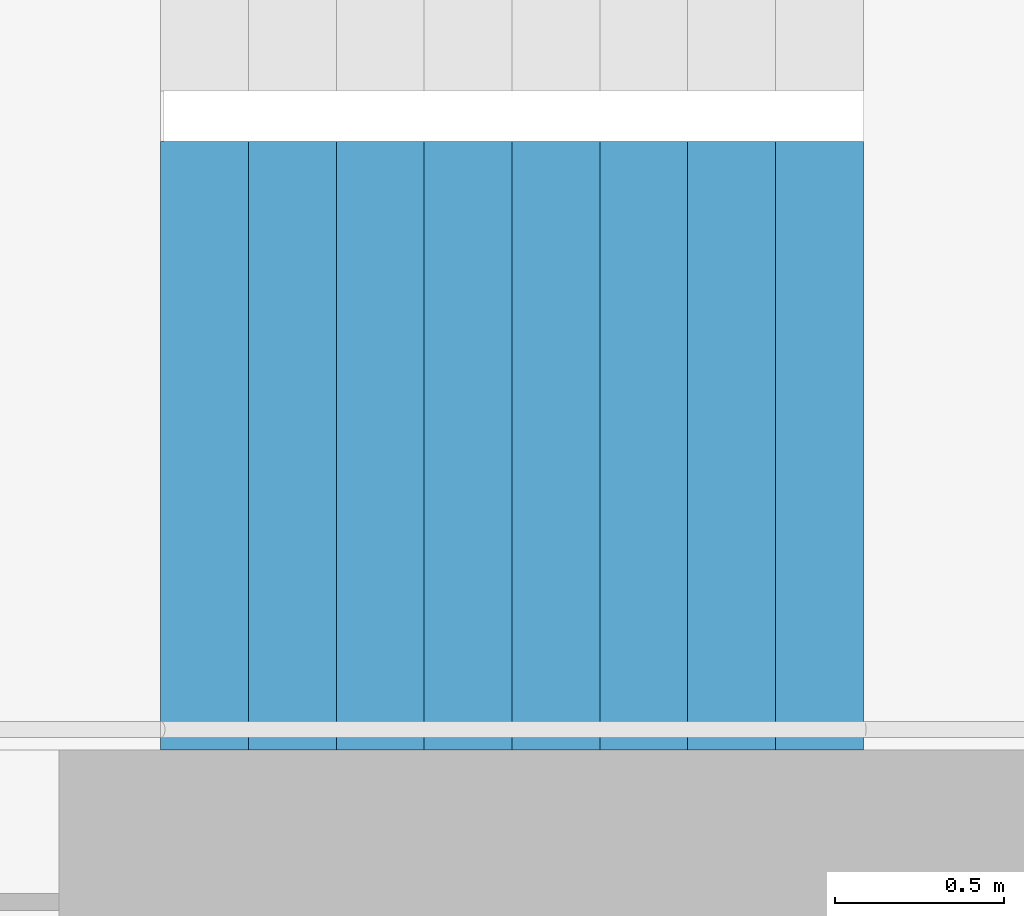
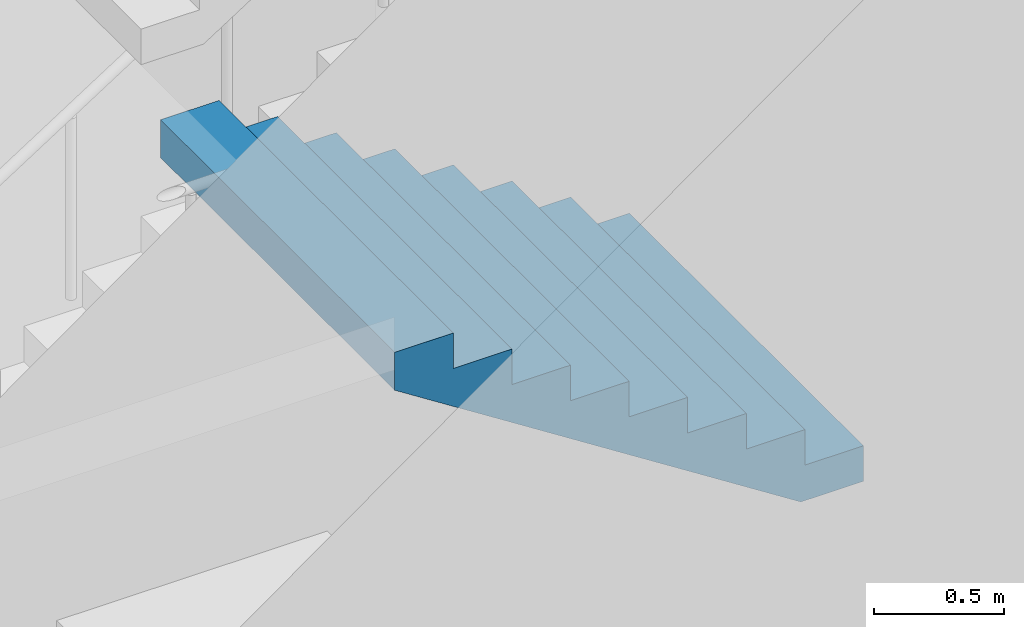
# One storey, part 26 of 35: 1 stair flight, 1 element without a shape of its own.
"""IFC4 building model written with IfcOpenShell, lengths in metres."""

from ifc_helpers import new_model, si_unit, direction, frame, origin, place, context, subcontext, project, spatial, triangles, material, type_object, element, aggregate, save


model = new_model("IFC4")

# Units and contexts
model_context = context("Model", 3, precision=1e-05, world=origin(), true_north=direction((0.0, 1.0)))
body_context = subcontext(model_context, "Body", "Model", "MODEL_VIEW")
ifc_project = project(units=[si_unit("LENGTHUNIT", "METRE"), si_unit("AREAUNIT", "SQUARE_METRE"), si_unit("VOLUMEUNIT", "CUBIC_METRE"), si_unit("PLANEANGLEUNIT", "RADIAN"), si_unit("MASSUNIT", "GRAM", prefix="KILO")], contexts=[model_context])

# Site, building, storey
site_placement = place(None, origin())
site = spatial("IfcSite", under=ifc_project, at=site_placement, CompositionType="ELEMENT")
building_placement = place(site_placement, origin())
building = spatial("IfcBuilding", under=site, at=building_placement, Name="Hakoniwa Tower and Hamabe Station Hall", CompositionType="ELEMENT")
storey_placement = place(building_placement, frame((0.0, 0.0, 270.60009765625)))
storey = spatial("IfcBuildingStorey", under=building, at=storey_placement, Name="L76", CompositionType="ELEMENT", Elevation=270.60009765625)

# Stair, stair flight
ifc_material_1 = material(Name="Concrete C40", Category="concrete")
stair_type = type_object("IfcStairType", Name="ESCAPE STAIR 1800", PredefinedType="HALF_TURN_STAIR", material=ifc_material_1)
stair_placement = place(storey_placement, origin())
stair = element("IfcStair", 1, at=stair_placement, inside=storey, type_object=stair_type, Name="Escape stair ST-4 L76", PredefinedType="HALF_TURN_STAIR")
ifc_material_2 = material(Name="Concrete C40", Category="concrete")
stair_flight_type = type_object("IfcStairFlightType", Name="STAIR FLIGHT 1800", PredefinedType="STRAIGHT", material=ifc_material_2)
stair_flight_placement = place(storey_placement, frame((25.47998046875, -6.60009765625, 1.5), z_axis=(0.0, 0.0, 1.0), x_axis=(-1.0, 0.0, 0.0)))
stair_flight = element("IfcStairFlight", 2, at=stair_flight_placement, type_object=stair_flight_type, Name="ST-4 flight 2", NumberOfRisers=9, NumberOfTreads=8, PredefinedType="STRAIGHT", RiserHeight=0.166666667, TreadLength=0.26, context=body_context, shape_type="Tessellation", body=[
    triangles([(0.0, 0.89990234375, 0.0), (0.260009765625, 0.89990234375, 0.0), (0.27783203125, 0.89990234375, 0.0), (0.52001953125, 0.89990234375, 0.1552734375), (0.780029296875, 0.89990234375, 0.322021484375), (1.0400390625, 0.89990234375, 0.488525390625), (1.300048828125, 0.89990234375, 0.6552734375), (1.56005859375, 0.89990234375, 0.822021484375), (1.820068359375, 0.89990234375, 0.988525390625), (2.080078125, 0.89990234375, 1.1552734375), (2.080078125, 0.89990234375, 1.333251953125), (1.820068359375, 0.89990234375, 1.333251953125), (1.820068359375, 0.89990234375, 1.166748046875), (1.56005859375, 0.89990234375, 1.166748046875), (1.56005859375, 0.89990234375, 1.0), (1.300048828125, 0.89990234375, 1.0), (1.300048828125, 0.89990234375, 0.833251953125), (1.0400390625, 0.89990234375, 0.833251953125), (1.0400390625, 0.89990234375, 0.666748046875), (0.780029296875, 0.89990234375, 0.666748046875), (0.780029296875, 0.89990234375, 0.5), (0.52001953125, 0.89990234375, 0.5), (0.52001953125, 0.89990234375, 0.333251953125), (0.27783203125, 0.89990234375, 0.333251953125), (0.260009765625, 0.89990234375, 0.333251953125), (0.260009765625, 0.89990234375, 0.166748046875), (0.0, 0.89990234375, 0.166748046875), (0.0, 0.06005859375, 0.0), (0.260009765625, 0.06005859375, 0.0), (0.27783203125, 0.06005859375, 0.0), (0.52001953125, 0.06005859375, 0.1552734375), (0.780029296875, 0.06005859375, 0.322021484375), (1.0400390625, 0.06005859375, 0.488525390625), (1.300048828125, 0.06005859375, 0.6552734375), (1.56005859375, 0.06005859375, 0.822021484375), (1.820068359375, 0.06005859375, 0.988525390625), (2.080078125, 0.06005859375, 1.1552734375), (2.080078125, 0.06005859375, 1.333251953125), (1.820068359375, 0.06005859375, 1.333251953125), (1.820068359375, 0.06005859375, 1.166748046875), (1.56005859375, 0.06005859375, 1.166748046875), (1.56005859375, 0.06005859375, 1.0), (1.300048828125, 0.06005859375, 1.0), (1.300048828125, 0.06005859375, 0.833251953125), (1.0400390625, 0.06005859375, 0.833251953125), (1.0400390625, 0.06005859375, 0.666748046875), (0.780029296875, 0.06005859375, 0.666748046875), (0.780029296875, 0.06005859375, 0.5), (0.52001953125, 0.06005859375, 0.5), (0.52001953125, 0.06005859375, 0.333251953125), (0.27783203125, 0.06005859375, 0.333251953125), (0.260009765625, 0.06005859375, 0.333251953125), (0.260009765625, 0.06005859375, 0.166748046875), (0.0, 0.06005859375, 0.166748046875), (0.0, 0.04296875, 0.0), (0.260009765625, 0.04296875, 0.0), (0.27783203125, 0.04296875, 0.0), (0.52001953125, 0.04296875, 0.1552734375), (0.780029296875, 0.04296875, 0.322021484375), (1.0400390625, 0.04296875, 0.488525390625), (1.300048828125, 0.04296875, 0.6552734375), (1.56005859375, 0.04296875, 0.822021484375), (1.820068359375, 0.04296875, 0.988525390625), (2.080078125, 0.04296875, 1.1552734375), (2.080078125, 0.04296875, 1.333251953125), (1.820068359375, 0.04296875, 1.333251953125), (1.820068359375, 0.04296875, 1.166748046875), (1.56005859375, 0.04296875, 1.166748046875), (1.56005859375, 0.04296875, 1.0), (1.300048828125, 0.04296875, 1.0), (1.300048828125, 0.04296875, 0.833251953125), (1.0400390625, 0.04296875, 0.833251953125), (1.0400390625, 0.04296875, 0.666748046875), (0.780029296875, 0.04296875, 0.666748046875), (0.780029296875, 0.04296875, 0.5), (0.52001953125, 0.04296875, 0.5), (0.52001953125, 0.04296875, 0.333251953125), (0.27783203125, 0.04296875, 0.333251953125), (0.260009765625, 0.04296875, 0.333251953125), (0.260009765625, 0.04296875, 0.166748046875), (0.0, 0.04296875, 0.166748046875), (0.0, 0.025634765625, 0.0), (0.260009765625, 0.025634765625, 0.0), (0.27783203125, 0.025634765625, 0.0), (0.52001953125, 0.025634765625, 0.1552734375), (0.780029296875, 0.025634765625, 0.322021484375), (1.0400390625, 0.025634765625, 0.488525390625), (1.300048828125, 0.025634765625, 0.6552734375), (1.56005859375, 0.025634765625, 0.822021484375), (1.820068359375, 0.025634765625, 0.988525390625), (2.080078125, 0.025634765625, 1.1552734375), (2.080078125, 0.025634765625, 1.333251953125), (1.820068359375, 0.025634765625, 1.333251953125), (1.820068359375, 0.025634765625, 1.166748046875), (1.56005859375, 0.025634765625, 1.166748046875), (1.56005859375, 0.025634765625, 1.0), (1.300048828125, 0.025634765625, 1.0), (1.300048828125, 0.025634765625, 0.833251953125), (1.0400390625, 0.025634765625, 0.833251953125), (1.0400390625, 0.025634765625, 0.666748046875), (0.780029296875, 0.025634765625, 0.666748046875), (0.780029296875, 0.025634765625, 0.5), (0.52001953125, 0.025634765625, 0.5), (0.52001953125, 0.025634765625, 0.333251953125), (0.27783203125, 0.025634765625, 0.333251953125), (0.260009765625, 0.025634765625, 0.333251953125), (0.260009765625, 0.025634765625, 0.166748046875), (0.0, 0.025634765625, 0.166748046875), (0.0, 0.008544921875, 0.0), (0.260009765625, 0.008544921875, 0.0), (0.27783203125, 0.008544921875, 0.0), (0.52001953125, 0.008544921875, 0.1552734375), (0.780029296875, 0.008544921875, 0.322021484375), (1.0400390625, 0.008544921875, 0.488525390625), (1.300048828125, 0.008544921875, 0.6552734375), (1.56005859375, 0.008544921875, 0.822021484375), (1.820068359375, 0.008544921875, 0.988525390625), (2.080078125, 0.008544921875, 1.1552734375), (2.080078125, 0.008544921875, 1.333251953125), (1.820068359375, 0.008544921875, 1.333251953125), (1.820068359375, 0.008544921875, 1.166748046875), (1.56005859375, 0.008544921875, 1.166748046875), (1.56005859375, 0.008544921875, 1.0), (1.300048828125, 0.008544921875, 1.0), (1.300048828125, 0.008544921875, 0.833251953125), (1.0400390625, 0.008544921875, 0.833251953125), (1.0400390625, 0.008544921875, 0.666748046875), (0.780029296875, 0.008544921875, 0.666748046875), (0.780029296875, 0.008544921875, 0.5), (0.52001953125, 0.008544921875, 0.5), (0.52001953125, 0.008544921875, 0.333251953125), (0.27783203125, 0.008544921875, 0.333251953125), (0.260009765625, 0.008544921875, 0.333251953125), (0.260009765625, 0.008544921875, 0.166748046875), (0.0, 0.008544921875, 0.166748046875), (0.0, -0.008544921875, 0.0), (0.260009765625, -0.008544921875, 0.0), (0.27783203125, -0.008544921875, 0.0), (0.52001953125, -0.008544921875, 0.1552734375), (0.780029296875, -0.008544921875, 0.322021484375), (1.0400390625, -0.008544921875, 0.488525390625), (1.300048828125, -0.008544921875, 0.6552734375), (1.56005859375, -0.008544921875, 0.822021484375), (1.820068359375, -0.008544921875, 0.988525390625), (2.080078125, -0.008544921875, 1.1552734375), (2.080078125, -0.008544921875, 1.333251953125), (1.820068359375, -0.008544921875, 1.333251953125), (1.820068359375, -0.008544921875, 1.166748046875), (1.56005859375, -0.008544921875, 1.166748046875), (1.56005859375, -0.008544921875, 1.0), (1.300048828125, -0.008544921875, 1.0), (1.300048828125, -0.008544921875, 0.833251953125), (1.0400390625, -0.008544921875, 0.833251953125), (1.0400390625, -0.008544921875, 0.666748046875), (0.780029296875, -0.008544921875, 0.666748046875), (0.780029296875, -0.008544921875, 0.5), (0.52001953125, -0.008544921875, 0.5), (0.52001953125, -0.008544921875, 0.333251953125), (0.27783203125, -0.008544921875, 0.333251953125), (0.260009765625, -0.008544921875, 0.333251953125), (0.260009765625, -0.008544921875, 0.166748046875), (0.0, -0.008544921875, 0.166748046875), (0.0, -0.025634765625, 0.0), (0.260009765625, -0.025634765625, 0.0), (0.27783203125, -0.025634765625, 0.0), (0.52001953125, -0.025634765625, 0.1552734375), (0.780029296875, -0.025634765625, 0.322021484375), (1.0400390625, -0.025634765625, 0.488525390625), (1.300048828125, -0.025634765625, 0.6552734375), (1.56005859375, -0.025634765625, 0.822021484375), (1.820068359375, -0.025634765625, 0.988525390625), (2.080078125, -0.025634765625, 1.1552734375), (2.080078125, -0.025634765625, 1.333251953125), (1.820068359375, -0.025634765625, 1.333251953125), (1.820068359375, -0.025634765625, 1.166748046875), (1.56005859375, -0.025634765625, 1.166748046875), (1.56005859375, -0.025634765625, 1.0), (1.300048828125, -0.025634765625, 1.0), (1.300048828125, -0.025634765625, 0.833251953125), (1.0400390625, -0.025634765625, 0.833251953125), (1.0400390625, -0.025634765625, 0.666748046875), (0.780029296875, -0.025634765625, 0.666748046875), (0.780029296875, -0.025634765625, 0.5), (0.52001953125, -0.025634765625, 0.5), (0.52001953125, -0.025634765625, 0.333251953125), (0.27783203125, -0.025634765625, 0.333251953125), (0.260009765625, -0.025634765625, 0.333251953125), (0.260009765625, -0.025634765625, 0.166748046875), (0.0, -0.025634765625, 0.166748046875), (0.0, -0.04296875, 0.0), (0.260009765625, -0.04296875, 0.0), (0.27783203125, -0.04296875, 0.0), (0.52001953125, -0.04296875, 0.1552734375), (0.780029296875, -0.04296875, 0.322021484375), (1.0400390625, -0.04296875, 0.488525390625), (1.300048828125, -0.04296875, 0.6552734375), (1.56005859375, -0.04296875, 0.822021484375), (1.820068359375, -0.04296875, 0.988525390625), (2.080078125, -0.04296875, 1.1552734375), (2.080078125, -0.04296875, 1.333251953125), (1.820068359375, -0.04296875, 1.333251953125), (1.820068359375, -0.04296875, 1.166748046875), (1.56005859375, -0.04296875, 1.166748046875), (1.56005859375, -0.04296875, 1.0), (1.300048828125, -0.04296875, 1.0), (1.300048828125, -0.04296875, 0.833251953125), (1.0400390625, -0.04296875, 0.833251953125), (1.0400390625, -0.04296875, 0.666748046875), (0.780029296875, -0.04296875, 0.666748046875), (0.780029296875, -0.04296875, 0.5), (0.52001953125, -0.04296875, 0.5), (0.52001953125, -0.04296875, 0.333251953125), (0.27783203125, -0.04296875, 0.333251953125), (0.260009765625, -0.04296875, 0.333251953125), (0.260009765625, -0.04296875, 0.166748046875), (0.0, -0.04296875, 0.166748046875), (0.0, -0.06005859375, 0.0), (0.260009765625, -0.06005859375, 0.0), (0.27783203125, -0.06005859375, 0.0), (0.52001953125, -0.06005859375, 0.1552734375), (0.780029296875, -0.06005859375, 0.322021484375), (1.0400390625, -0.06005859375, 0.488525390625), (1.300048828125, -0.06005859375, 0.6552734375), (1.56005859375, -0.06005859375, 0.822021484375), (1.820068359375, -0.06005859375, 0.988525390625), (2.080078125, -0.06005859375, 1.1552734375), (2.080078125, -0.06005859375, 1.333251953125), (1.820068359375, -0.06005859375, 1.333251953125), (1.820068359375, -0.06005859375, 1.166748046875), (1.56005859375, -0.06005859375, 1.166748046875), (1.56005859375, -0.06005859375, 1.0), (1.300048828125, -0.06005859375, 1.0), (1.300048828125, -0.06005859375, 0.833251953125), (1.0400390625, -0.06005859375, 0.833251953125), (1.0400390625, -0.06005859375, 0.666748046875), (0.780029296875, -0.06005859375, 0.666748046875), (0.780029296875, -0.06005859375, 0.5), (0.52001953125, -0.06005859375, 0.5), (0.52001953125, -0.06005859375, 0.333251953125), (0.27783203125, -0.06005859375, 0.333251953125), (0.260009765625, -0.06005859375, 0.333251953125), (0.260009765625, -0.06005859375, 0.166748046875), (0.0, -0.06005859375, 0.166748046875), (0.0, -0.89990234375, 0.0), (0.260009765625, -0.89990234375, 0.0), (0.27783203125, -0.89990234375, 0.0), (0.52001953125, -0.89990234375, 0.1552734375), (0.780029296875, -0.89990234375, 0.322021484375), (1.0400390625, -0.89990234375, 0.488525390625), (1.300048828125, -0.89990234375, 0.6552734375), (1.56005859375, -0.89990234375, 0.822021484375), (1.820068359375, -0.89990234375, 0.988525390625), (2.080078125, -0.89990234375, 1.1552734375), (2.080078125, -0.89990234375, 1.333251953125), (1.820068359375, -0.89990234375, 1.333251953125), (1.820068359375, -0.89990234375, 1.166748046875), (1.56005859375, -0.89990234375, 1.166748046875), (1.56005859375, -0.89990234375, 1.0), (1.300048828125, -0.89990234375, 1.0), (1.300048828125, -0.89990234375, 0.833251953125), (1.0400390625, -0.89990234375, 0.833251953125), (1.0400390625, -0.89990234375, 0.666748046875), (0.780029296875, -0.89990234375, 0.666748046875), (0.780029296875, -0.89990234375, 0.5), (0.52001953125, -0.89990234375, 0.5), (0.52001953125, -0.89990234375, 0.333251953125), (0.27783203125, -0.89990234375, 0.333251953125), (0.260009765625, -0.89990234375, 0.333251953125), (0.260009765625, -0.89990234375, 0.166748046875), (0.0, -0.89990234375, 0.166748046875)], [[2, 27, 26], [245, 269, 270], [2, 1, 27], [245, 270, 244], [3, 25, 24], [246, 267, 268], [3, 26, 25], [246, 268, 269], [3, 2, 26], [246, 269, 245], [4, 24, 23], [247, 266, 267], [4, 3, 24], [247, 267, 246], [5, 22, 21], [248, 264, 265], [5, 23, 22], [248, 265, 266], [5, 4, 23], [248, 266, 247], [6, 20, 19], [249, 262, 263], [6, 21, 20], [249, 263, 264], [6, 5, 21], [249, 264, 248], [7, 18, 17], [250, 260, 261], [7, 19, 18], [250, 261, 262], [7, 6, 19], [250, 262, 249], [8, 16, 15], [251, 258, 259], [8, 17, 16], [251, 259, 260], [8, 7, 17], [251, 260, 250], [9, 14, 13], [252, 256, 257], [9, 15, 14], [252, 257, 258], [9, 8, 15], [252, 258, 251], [10, 12, 11], [253, 254, 255], [10, 13, 12], [253, 255, 256], [10, 9, 13], [253, 256, 252], [1, 2, 29], [1, 29, 28], [28, 29, 56], [28, 56, 55], [55, 56, 83], [55, 83, 82], [82, 83, 110], [82, 110, 109], [109, 110, 137], [109, 137, 136], [136, 137, 164], [136, 164, 163], [163, 164, 191], [163, 191, 190], [190, 191, 218], [190, 218, 217], [217, 218, 245], [217, 245, 244], [2, 3, 30], [2, 30, 29], [29, 30, 57], [29, 57, 56], [56, 57, 84], [56, 84, 83], [83, 84, 111], [83, 111, 110], [110, 111, 138], [110, 138, 137], [137, 138, 165], [137, 165, 164], [164, 165, 192], [164, 192, 191], [191, 192, 219], [191, 219, 218], [218, 219, 246], [218, 246, 245], [3, 4, 31], [3, 31, 30], [30, 31, 58], [30, 58, 57], [57, 58, 85], [57, 85, 84], [84, 85, 112], [84, 112, 111], [111, 112, 139], [111, 139, 138], [138, 139, 166], [138, 166, 165], [165, 166, 193], [165, 193, 192], [192, 193, 220], [192, 220, 219], [219, 220, 247], [219, 247, 246], [4, 5, 32], [4, 32, 31], [31, 32, 59], [31, 59, 58], [58, 59, 86], [58, 86, 85], [85, 86, 113], [85, 113, 112], [112, 113, 140], [112, 140, 139], [139, 140, 167], [139, 167, 166], [166, 167, 194], [166, 194, 193], [193, 194, 221], [193, 221, 220], [220, 221, 248], [220, 248, 247], [5, 6, 33], [5, 33, 32], [32, 33, 60], [32, 60, 59], [59, 60, 87], [59, 87, 86], [86, 87, 114], [86, 114, 113], [113, 114, 141], [113, 141, 140], [140, 141, 168], [140, 168, 167], [167, 168, 195], [167, 195, 194], [194, 195, 222], [194, 222, 221], [221, 222, 249], [221, 249, 248], [6, 7, 34], [6, 34, 33], [33, 34, 61], [33, 61, 60], [60, 61, 88], [60, 88, 87], [87, 88, 115], [87, 115, 114], [114, 115, 142], [114, 142, 141], [141, 142, 169], [141, 169, 168], [168, 169, 196], [168, 196, 195], [195, 196, 223], [195, 223, 222], [222, 223, 250], [222, 250, 249], [7, 8, 35], [7, 35, 34], [34, 35, 62], [34, 62, 61], [61, 62, 89], [61, 89, 88], [88, 89, 116], [88, 116, 115], [115, 116, 143], [115, 143, 142], [142, 143, 170], [142, 170, 169], [169, 170, 197], [169, 197, 196], [196, 197, 224], [196, 224, 223], [223, 224, 251], [223, 251, 250], [8, 9, 36], [8, 36, 35], [35, 36, 63], [35, 63, 62], [62, 63, 90], [62, 90, 89], [89, 90, 117], [89, 117, 116], [116, 117, 144], [116, 144, 143], [143, 144, 171], [143, 171, 170], [170, 171, 198], [170, 198, 197], [197, 198, 225], [197, 225, 224], [224, 225, 252], [224, 252, 251], [9, 10, 37], [9, 37, 36], [36, 37, 64], [36, 64, 63], [63, 64, 91], [63, 91, 90], [90, 91, 118], [90, 118, 117], [117, 118, 145], [117, 145, 144], [144, 145, 172], [144, 172, 171], [171, 172, 199], [171, 199, 198], [198, 199, 226], [198, 226, 225], [225, 226, 253], [225, 253, 252], [10, 11, 38], [10, 38, 37], [37, 38, 65], [37, 65, 64], [64, 65, 92], [64, 92, 91], [91, 92, 119], [91, 119, 118], [118, 119, 146], [118, 146, 145], [145, 146, 173], [145, 173, 172], [172, 173, 200], [172, 200, 199], [199, 200, 227], [199, 227, 226], [226, 227, 254], [226, 254, 253], [11, 12, 39], [11, 39, 38], [38, 39, 66], [38, 66, 65], [65, 66, 93], [65, 93, 92], [92, 93, 120], [92, 120, 119], [119, 120, 147], [119, 147, 146], [146, 147, 174], [146, 174, 173], [173, 174, 201], [173, 201, 200], [200, 201, 228], [200, 228, 227], [227, 228, 255], [227, 255, 254], [12, 13, 40], [12, 40, 39], [39, 40, 67], [39, 67, 66], [66, 67, 94], [66, 94, 93], [93, 94, 121], [93, 121, 120], [120, 121, 148], [120, 148, 147], [147, 148, 175], [147, 175, 174], [174, 175, 202], [174, 202, 201], [201, 202, 229], [201, 229, 228], [228, 229, 256], [228, 256, 255], [13, 14, 41], [13, 41, 40], [40, 41, 68], [40, 68, 67], [67, 68, 95], [67, 95, 94], [94, 95, 122], [94, 122, 121], [121, 122, 149], [121, 149, 148], [148, 149, 176], [148, 176, 175], [175, 176, 203], [175, 203, 202], [202, 203, 230], [202, 230, 229], [229, 230, 257], [229, 257, 256], [14, 15, 42], [14, 42, 41], [41, 42, 69], [41, 69, 68], [68, 69, 96], [68, 96, 95], [95, 96, 123], [95, 123, 122], [122, 123, 150], [122, 150, 149], [149, 150, 177], [149, 177, 176], [176, 177, 204], [176, 204, 203], [203, 204, 231], [203, 231, 230], [230, 231, 258], [230, 258, 257], [15, 16, 43], [15, 43, 42], [42, 43, 70], [42, 70, 69], [69, 70, 97], [69, 97, 96], [96, 97, 124], [96, 124, 123], [123, 124, 151], [123, 151, 150], [150, 151, 178], [150, 178, 177], [177, 178, 205], [177, 205, 204], [204, 205, 232], [204, 232, 231], [231, 232, 259], [231, 259, 258], [16, 17, 44], [16, 44, 43], [43, 44, 71], [43, 71, 70], [70, 71, 98], [70, 98, 97], [97, 98, 125], [97, 125, 124], [124, 125, 152], [124, 152, 151], [151, 152, 179], [151, 179, 178], [178, 179, 206], [178, 206, 205], [205, 206, 233], [205, 233, 232], [232, 233, 260], [232, 260, 259], [17, 18, 45], [17, 45, 44], [44, 45, 72], [44, 72, 71], [71, 72, 99], [71, 99, 98], [98, 99, 126], [98, 126, 125], [125, 126, 153], [125, 153, 152], [152, 153, 180], [152, 180, 179], [179, 180, 207], [179, 207, 206], [206, 207, 234], [206, 234, 233], [233, 234, 261], [233, 261, 260], [18, 19, 46], [18, 46, 45], [45, 46, 73], [45, 73, 72], [72, 73, 100], [72, 100, 99], [99, 100, 127], [99, 127, 126], [126, 127, 154], [126, 154, 153], [153, 154, 181], [153, 181, 180], [180, 181, 208], [180, 208, 207], [207, 208, 235], [207, 235, 234], [234, 235, 262], [234, 262, 261], [19, 20, 47], [19, 47, 46], [46, 47, 74], [46, 74, 73], [73, 74, 101], [73, 101, 100], [100, 101, 128], [100, 128, 127], [127, 128, 155], [127, 155, 154], [154, 155, 182], [154, 182, 181], [181, 182, 209], [181, 209, 208], [208, 209, 236], [208, 236, 235], [235, 236, 263], [235, 263, 262], [20, 21, 48], [20, 48, 47], [47, 48, 75], [47, 75, 74], [74, 75, 102], [74, 102, 101], [101, 102, 129], [101, 129, 128], [128, 129, 156], [128, 156, 155], [155, 156, 183], [155, 183, 182], [182, 183, 210], [182, 210, 209], [209, 210, 237], [209, 237, 236], [236, 237, 264], [236, 264, 263], [21, 22, 49], [21, 49, 48], [48, 49, 76], [48, 76, 75], [75, 76, 103], [75, 103, 102], [102, 103, 130], [102, 130, 129], [129, 130, 157], [129, 157, 156], [156, 157, 184], [156, 184, 183], [183, 184, 211], [183, 211, 210], [210, 211, 238], [210, 238, 237], [237, 238, 265], [237, 265, 264], [22, 23, 50], [22, 50, 49], [49, 50, 77], [49, 77, 76], [76, 77, 104], [76, 104, 103], [103, 104, 131], [103, 131, 130], [130, 131, 158], [130, 158, 157], [157, 158, 185], [157, 185, 184], [184, 185, 212], [184, 212, 211], [211, 212, 239], [211, 239, 238], [238, 239, 266], [238, 266, 265], [23, 24, 51], [23, 51, 50], [50, 51, 78], [50, 78, 77], [77, 78, 105], [77, 105, 104], [104, 105, 132], [104, 132, 131], [131, 132, 159], [131, 159, 158], [158, 159, 186], [158, 186, 185], [185, 186, 213], [185, 213, 212], [212, 213, 240], [212, 240, 239], [239, 240, 267], [239, 267, 266], [24, 25, 52], [24, 52, 51], [51, 52, 79], [51, 79, 78], [78, 79, 106], [78, 106, 105], [105, 106, 133], [105, 133, 132], [132, 133, 160], [132, 160, 159], [159, 160, 187], [159, 187, 186], [186, 187, 214], [186, 214, 213], [213, 214, 241], [213, 241, 240], [240, 241, 268], [240, 268, 267], [25, 26, 53], [25, 53, 52], [52, 53, 80], [52, 80, 79], [79, 80, 107], [79, 107, 106], [106, 107, 134], [106, 134, 133], [133, 134, 161], [133, 161, 160], [160, 161, 188], [160, 188, 187], [187, 188, 215], [187, 215, 214], [214, 215, 242], [214, 242, 241], [241, 242, 269], [241, 269, 268], [26, 27, 54], [26, 54, 53], [53, 54, 81], [53, 81, 80], [80, 81, 108], [80, 108, 107], [107, 108, 135], [107, 135, 134], [134, 135, 162], [134, 162, 161], [161, 162, 189], [161, 189, 188], [188, 189, 216], [188, 216, 215], [215, 216, 243], [215, 243, 242], [242, 243, 270], [242, 270, 269], [27, 1, 28], [27, 28, 54], [54, 28, 55], [54, 55, 81], [81, 55, 82], [81, 82, 108], [108, 82, 109], [108, 109, 135], [135, 109, 136], [135, 136, 162], [162, 136, 163], [162, 163, 189], [189, 163, 190], [189, 190, 216], [216, 190, 217], [216, 217, 243], [243, 217, 244], [243, 244, 270]], closed=True),
])
aggregate(stair, [stair_flight])

save(model, "model.ifc")
